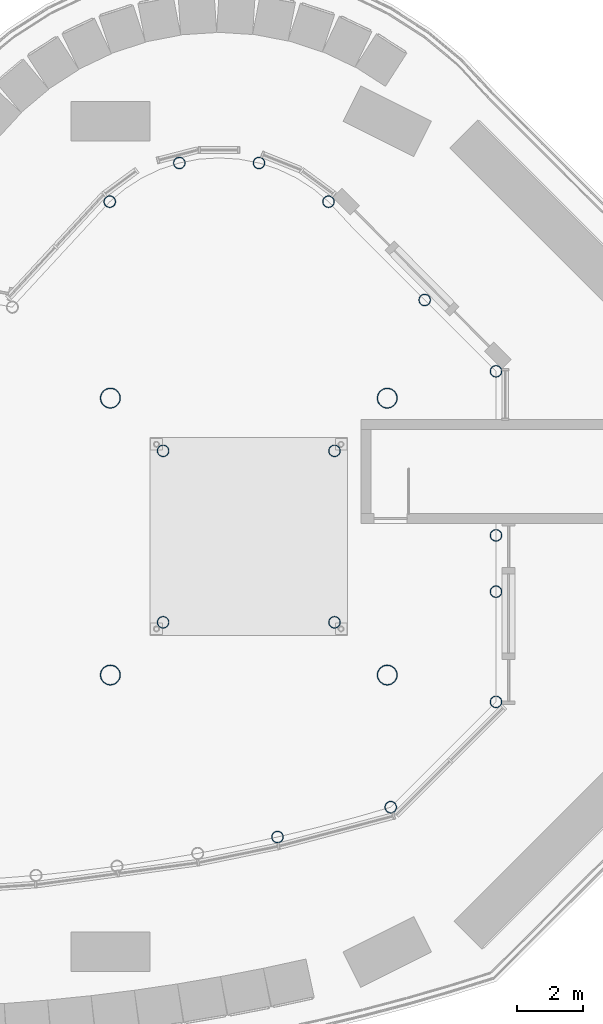
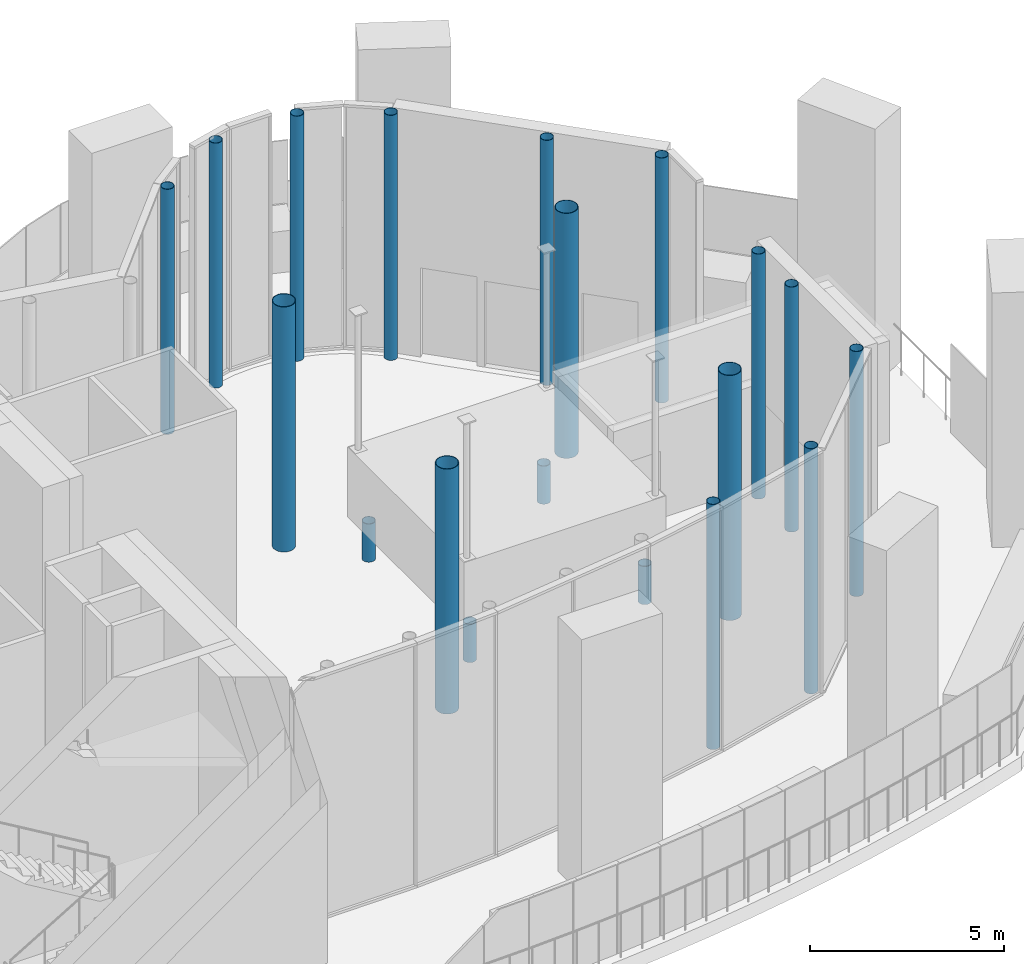
# One storey, part 2 of 14: 19 columns.
"""IFC4 building model written with IfcOpenShell, lengths in metres."""

from ifc_helpers import new_model, si_unit, direction, frame, origin, origin_2d, place, context, subcontext, project, spatial, hollow_circle, extrude, material, material_profile, profile_set, type_object, element, save


model = new_model("IFC4")

# Units and contexts
model_context = context("Model", 3, precision=1e-05, world=origin(), true_north=direction((0.0, 1.0)))
body_context = subcontext(model_context, "Body", "Model", "MODEL_VIEW")
ifc_project = project(units=[si_unit("LENGTHUNIT", "METRE"), si_unit("AREAUNIT", "SQUARE_METRE"), si_unit("VOLUMEUNIT", "CUBIC_METRE"), si_unit("PLANEANGLEUNIT", "RADIAN"), si_unit("MASSUNIT", "GRAM", prefix="KILO")], contexts=[model_context])

# Site, building, storey
site_placement = place(None, origin())
site = spatial("IfcSite", under=ifc_project, at=site_placement, CompositionType="ELEMENT")
building_placement = place(site_placement, origin())
building = spatial("IfcBuilding", under=site, at=building_placement, Name="Brevane Broadcast Tower", CompositionType="ELEMENT")
storey_placement = place(building_placement, frame((0.0, 0.0, 256.199951171875)))
storey = spatial("IfcBuildingStorey", under=building, at=storey_placement, Name="L65", CompositionType="ELEMENT", Elevation=256.199951171875)

# Columns
ifc_material = material(Name="Steel S355", Category="steel")
ifc_material_profile_1 = material_profile(ifc_material, hollow_circle(Radius=0.177734375, WallThickness=0.012451171875, at=origin_2d()), Name="CHS 355.6x12.5")
ifc_profile_set_1 = profile_set([ifc_material_profile_1], Name="Steel S355")
column_type_1 = type_object("IfcColumnType", Name="STEEL DAMPER BEARING PEDESTAL CHS 355.6x12.5 S355", PredefinedType="COLUMN", material=ifc_profile_set_1)
for number, where, z_axis, x_axis, name in (
    (1, (35.199951171875, 10.0, 0.0), (0.0, 0.0, 1.0), (1.0, 0.0, 0.0), "SP4 1"),
    (2, (40.39990234375, 10.0, 0.0), (0.0, 0.0, 1.0), (1.0, 0.0, 0.0), "SP4 2"),
    (3, (40.39990234375, 15.199951171875, 0.0), (0.0, 0.0, 1.0), (1.0, 0.0, 0.0), "SP4 3"),
    (4, (35.199951171875, 15.199951171875, 0.0), (0.0, 0.0, 1.0), (1.0, 0.0, 0.0), "SP4 4"),
):
    element("IfcColumn", number, at=place(storey_placement, frame(where, z_axis=z_axis, x_axis=x_axis)), inside=storey, type_object=column_type_1, Name=name, PredefinedType="COLUMN", context=body_context, shape_type="SweptSolid", body=[
        extrude(hollow_circle(Radius=0.177734375, WallThickness=0.012451171875, at=origin_2d()), origin(), (0.0, 0.0, 1.0), 1.199951171875),
    ])
ifc_material_profile_2 = material_profile(ifc_material, hollow_circle(Radius=0.304931640625, WallThickness=0.01611328125, at=origin_2d()), Name="CHS 610x16")
ifc_profile_set_2 = profile_set([ifc_material_profile_2], Name="Steel S355")
column_type_2 = type_object("IfcColumnType", Name="STEEL DAMPER FRAME POST CHS 610x16 S355", PredefinedType="COLUMN", material=ifc_profile_set_2)
for number, where, z_axis, x_axis, name in (
    (5, (33.60009765625, 8.39990234375, 0.0), (0.0, 0.0, 1.0), (1.0, 0.0, 0.0), "SP3 1"),
    (6, (42.0, 8.39990234375, 0.0), (0.0, 0.0, 1.0), (1.0, 0.0, 0.0), "SP3 2"),
    (7, (33.60009765625, 16.800048828125, 0.0), (0.0, 0.0, 1.0), (1.0, 0.0, 0.0), "SP3 3"),
    (8, (42.0, 16.800048828125, 0.0), (0.0, 0.0, 1.0), (1.0, 0.0, 0.0), "SP3 4"),
):
    element("IfcColumn", number, at=place(storey_placement, frame(where, z_axis=z_axis, x_axis=x_axis)), inside=storey, type_object=column_type_2, Name=name, PredefinedType="COLUMN", context=body_context, shape_type="SweptSolid", body=[
        extrude(hollow_circle(Radius=0.304931640625, WallThickness=0.01611328125, at=origin_2d()), origin(), (0.0, 0.0, 1.0), 7.699951171875),
    ])
ifc_material_profile_3 = material_profile(ifc_material, hollow_circle(Radius=0.177734375, WallThickness=0.012451171875, at=origin_2d()), Name="CHS 355.6x12.5")
ifc_profile_set_3 = profile_set([ifc_material_profile_3], Name="Steel S355")
column_type_3 = type_object("IfcColumnType", Name="STEEL ENCLOSURE POST CHS 355.6x12.5 S355", PredefinedType="COLUMN", material=ifc_profile_set_3)
for number, where, z_axis, x_axis, name in (
    (9, (33.581298828125, 22.7587890625, 0.0), (0.0, 0.0, 1.0), (1.0, 0.0, 0.0), "SP2 10"),
    (10, (35.692138671875, 23.93359375, 0.0), (0.0, 0.0, 1.0), (1.0, 0.0, 0.0), "SP2 11"),
    (11, (38.10791015625, 23.93359375, 0.0), (0.0, 0.0, 1.0), (1.0, 0.0, 0.0), "SP2 12"),
    (12, (40.21875, 22.7587890625, 0.0), (0.0, 0.0, 1.0), (1.0, 0.0, 0.0), "SP2 13"),
    (13, (43.13623046875, 19.7783203125, 0.0), (0.0, 0.0, 1.0), (1.0, 0.0, 0.0), "SP2 14"),
    (14, (45.300048828125, 17.61474609375, 0.0), (0.0, 0.0, 1.0), (1.0, 0.0, 0.0), "SP2 15"),
    (15, (45.300048828125, 12.636474609375, 0.0), (0.0, 0.0, 1.0), (1.0, 0.0, 0.0), "SP2 16"),
    (16, (45.300048828125, 10.928466796875, 0.0), (0.0, 0.0, 1.0), (1.0, 0.0, 0.0), "SP2 17"),
    (17, (45.300048828125, 7.585205078125, 0.0), (0.0, 0.0, 1.0), (1.0, 0.0, 0.0), "SP2 18"),
    (18, (42.105224609375, 4.390625, 0.0), (0.0, 0.0, 1.0), (1.0, 0.0, 0.0), "SP2 19"),
    (19, (38.672119140625, 3.486083984375, 0.0), (0.0, 0.0, 1.0), (1.0, 0.0, 0.0), "SP2 20"),
):
    element("IfcColumn", number, at=place(storey_placement, frame(where, z_axis=z_axis, x_axis=x_axis)), inside=storey, type_object=column_type_3, Name=name, PredefinedType="COLUMN", context=body_context, shape_type="SweptSolid", body=[
        extrude(hollow_circle(Radius=0.177734375, WallThickness=0.012451171875, at=origin_2d()), origin(), (0.0, 0.0, 1.0), 7.699951171875),
    ])

save(model, "model.ifc")
